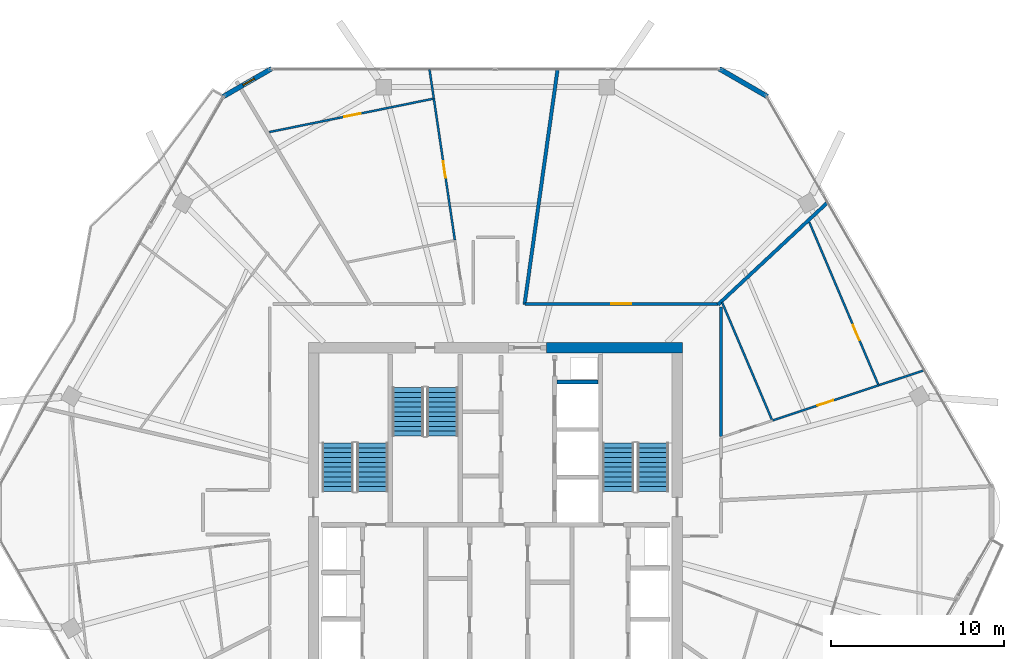
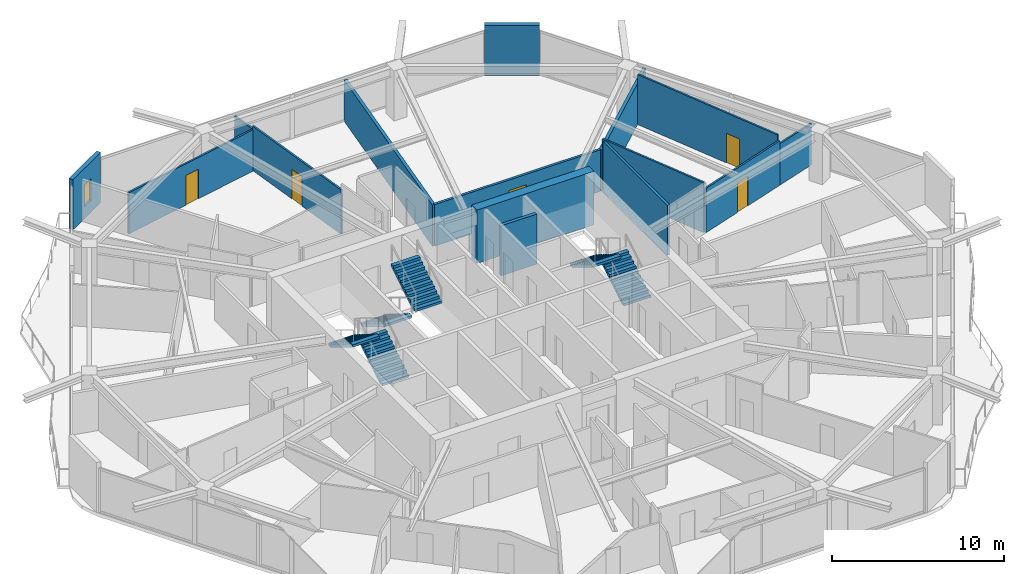
# One storey, part 22 of 25: 15 walls, 6 stair flights, 5 doors, 1 window, 6 openings, 3 elements without a shape of their own.
"""IFC4 building model written with IfcOpenShell, lengths in metres."""

from ifc_helpers import new_model, si_unit, direction, frame, frame_2d, origin, place, context, subcontext, project, spatial, polyline, rectangle, outline, extrude, material, layer, layer_set, type_object, element, fill, aggregate, save


model = new_model("IFC4")

# Units and contexts
model_context = context("Model", 3, precision=1e-05, world=origin(), true_north=direction((0.0, 1.0)))
body_context = subcontext(model_context, "Body", "Model", "MODEL_VIEW")
ifc_project = project(units=[si_unit("LENGTHUNIT", "METRE"), si_unit("AREAUNIT", "SQUARE_METRE"), si_unit("VOLUMEUNIT", "CUBIC_METRE"), si_unit("PLANEANGLEUNIT", "RADIAN"), si_unit("MASSUNIT", "GRAM", prefix="KILO")], contexts=[model_context])

# Site, building, storey
site_placement = place(None, origin())
site = spatial("IfcSite", under=ifc_project, at=site_placement, CompositionType="ELEMENT")
building_placement = place(site_placement, origin())
building = spatial("IfcBuilding", under=site, at=building_placement, Name="Zuhravey Tower", CompositionType="ELEMENT")
storey_placement = place(building_placement, frame((0.0, 0.0, 257.800048828125)))
storey = spatial("IfcBuildingStorey", under=building, at=storey_placement, Name="L65", CompositionType="ELEMENT", Elevation=257.800048828125)

# Wall
ifc_material_1 = material(Name="Concrete C50/60", Category="concrete")
ifc_layer_1 = layer(ifc_material_1, 0.60009765625)
ifc_layer_set_1 = layer_set([ifc_layer_1], Name="Concrete C50/60")
wall_type_1 = type_object("IfcWallType", Name="Core Shear Wall 600", PredefinedType="SHEAR", material=ifc_layer_set_1)
wall_1_placement = place(storey_placement, frame((46.800048828125, 41.5, 0.0), z_axis=(0.0, 0.0, 1.0), x_axis=(-1.0, 0.0, 0.0)))
element("IfcWall", 1, at=wall_1_placement, inside=storey, type_object=wall_type_1, Name="L65 North-East Core Shear Wall CW60", PredefinedType="SHEAR", context=body_context, shape_type="SweptSolid", body=[
    extrude(rectangle(XDim=7.85009765625, YDim=0.60009765625, at=frame_2d((3.925048828125, 0.0))), origin(), (0.0, 0.0, 1.0), 3.800048828125),
])

# Wall, opening, door
ifc_material_2 = material(Name="Gypsum fire-rated stud partition")
ifc_layer_2 = layer(ifc_material_2, 0.159912109375)
ifc_layer_set_2 = layer_set([ifc_layer_2], Name="Gypsum fire-rated stud partition")
wall_type_2 = type_object("IfcWallType", Name="Corridor Fire Partition 160", PredefinedType="PARTITIONING", material=ifc_layer_set_2)
wall_2_placement = place(storey_placement, frame((48.85009765625, 44.030029296875, 0.0), z_axis=(0.0, 0.0, 1.0), x_axis=(-1.0, 0.0, 0.0)))
wall_2 = element("IfcWall", 2, at=wall_2_placement, inside=storey, type_object=wall_type_2, Name="L65 IW16 Partition 056", PredefinedType="PARTITIONING", context=body_context, shape_type="SweptSolid", body=[
    extrude(rectangle(XDim=11.13916015625, YDim=0.159912109375, at=frame_2d((5.569580078125, 0.0))), origin(), (0.0, 0.0, 1.0), 2.949951171875),
])
opening_1_placement = place(wall_2_placement, frame((4.994384765625, 0.0, 0.0)))
opening_1 = element("IfcOpeningElement", 3, at=opening_1_placement, cuts=wall_2, Name="Opening CLD1", PredefinedType="OPENING", context=body_context, shape_type="SweptSolid", body=[
    extrude(rectangle(XDim=1.14990234375, YDim=2.199951171875, at=frame_2d((0.574951171875, 1.10009765625))), frame((0.0, 0.092041015625, 0.0), z_axis=(0.0, -1.0, 0.0), x_axis=(1.0, 0.0, 0.0)), (0.0, 0.0, 1.0), 0.183837890625),
])
ifc_material_3 = material(Name="Acoustic timber leaf with vision lite", Category="wood")
door_type_1 = type_object("IfcDoorType", Name="Classroom Acoustic Door 1150x2200", OperationType="NOTDEFINED", PredefinedType="DOOR", material=ifc_material_3)
door_1_placement = place(opening_1_placement, frame((1.14990234375, 0.0, 0.0), z_axis=(0.0, 0.0, 1.0), x_axis=(-1.0, 0.0, 0.0)))
door_1 = element("IfcDoor", 4, at=door_1_placement, inside=storey, type_object=door_type_1, Name="L65 Door 056.1", OperationType="SINGLE_SWING_RIGHT", OverallHeight=2.199951171875, OverallWidth=1.14990234375, PredefinedType="DOOR", context=body_context, shape_type="SweptSolid", body=[
    extrude(rectangle(XDim=1.14990234375, YDim=2.199951171875, at=frame_2d((0.574951171875, 1.10009765625))), frame((0.0, 0.02490234375, 0.0), z_axis=(0.0, -1.0, 0.0), x_axis=(1.0, 0.0, 0.0)), (0.0, 0.0, 1.0), 0.050048828125),
])
fill(opening_1, door_1)

# Wall
wall_3_placement = place(storey_placement, frame((49.030029296875, 36.385986328125, 0.0), z_axis=(0.0, 0.0, 1.0), x_axis=(0.0, 1.0, 0.0)))
element("IfcWall", 5, at=wall_3_placement, inside=storey, type_object=wall_type_2, Name="L65 IW16 Partition 119", PredefinedType="PARTITIONING", context=body_context, shape_type="SweptSolid", body=[
    extrude(rectangle(XDim=7.464111328125, YDim=0.159912109375, at=frame_2d((3.73193359375, 0.0))), origin(), (0.0, 0.0, 1.0), 3.550048828125),
])

# Wall, opening, window
ifc_material_4 = material(Name="Precast concrete C40/50", Category="concrete")
ifc_layer_3 = layer(ifc_material_4, 0.280029296875)
ifc_layer_set_3 = layer_set([ifc_layer_3], Name="Precast concrete C40/50")
wall_type_3 = type_object("IfcWallType", Name="Crown Architectural Wall 280", PredefinedType="SOLIDWALL", material=ifc_layer_set_3)
wall_4_placement = place(storey_placement, frame((20.285400390625, 56.003662109375, 0.0), z_axis=(0.0, 0.0, 1.0), x_axis=(0.866028773314, 0.499994163758, 0.0)))
wall_4 = element("IfcWall", 6, at=wall_4_placement, inside=storey, type_object=wall_type_3, Name="L65 Rounded Corner Closure Wall EW28-08", PredefinedType="SOLIDWALL", context=body_context, shape_type="SweptSolid", body=[
    extrude(rectangle(XDim=3.21484375, YDim=0.280029296875, at=frame_2d((1.607421875, 0.0))), origin(), (0.0, 0.0, 1.0), 3.550048828125),
])
opening_2_placement = place(wall_4_placement, frame((1.324462890625, 0.0, 0.85009765625)))
opening_2 = element("IfcOpeningElement", 7, at=opening_2_placement, cuts=wall_4, Name="Opening WN5", PredefinedType="OPENING", context=body_context, shape_type="SweptSolid", body=[
    extrude(rectangle(XDim=0.75, YDim=1.5, at=frame_2d((0.375, 0.75))), frame((0.0, 0.152099609375, 0.0), z_axis=(0.0, -1.0, 0.0), x_axis=(1.0, 0.0, 0.0)), (0.0, 0.0, 1.0), 0.303955078125),
])
ifc_material_5 = material(Name="Thermally broken aluminium and triple low-E glass", Category="aluminium")
window_type = type_object("IfcWindowType", Name="Residential Corner Casement Window 750x1500", PartitioningType="SINGLE_PANEL", PredefinedType="WINDOW", material=ifc_material_5)
window_placement = place(opening_2_placement, origin())
window = element("IfcWindow", 8, at=window_placement, inside=storey, type_object=window_type, Name="L65 Corner Casement Window WN5-08.1", OverallHeight=1.5, OverallWidth=0.75, PartitioningType="SINGLE_PANEL", PredefinedType="WINDOW", context=body_context, shape_type="SweptSolid", body=[
    extrude(rectangle(XDim=0.75, YDim=1.5, at=frame_2d((0.375, 0.75))), frame((0.0, 0.030029296875, 0.0), z_axis=(0.0, -1.0, 0.0), x_axis=(1.0, 0.0, 0.0)), (0.0, 0.0, 1.0), 0.06005859375),
])
fill(opening_2, window)

# Walls
wall_5_placement = place(storey_placement, frame((48.930419921875, 57.611083984375, 0.0), z_axis=(0.0, 0.0, 1.0), x_axis=(0.866028773314, -0.499994163758, 0.0)))
element("IfcWall", 9, at=wall_5_placement, inside=storey, type_object=wall_type_3, Name="L65 Rounded Corner Closure Wall EW28-10", PredefinedType="SOLIDWALL", context=body_context, shape_type="SweptSolid", body=[
    extrude(rectangle(XDim=3.21484375, YDim=0.280029296875, at=frame_2d((1.607421875, 0.0))), origin(), (0.0, 0.0, 1.0), 3.550048828125),
])
ifc_material_6 = material(Name="Gypsum double-stud party assembly")
ifc_layer_4 = layer(ifc_material_6, 0.199951171875)
ifc_layer_set_4 = layer_set([ifc_layer_4], Name="Gypsum double-stud party assembly")
wall_type_4 = type_object("IfcWallType", Name="Inter-Tenancy Party Wall 200", PredefinedType="PARTITIONING", material=ifc_layer_set_4)
wall_6_placement = place(storey_placement, frame((48.857421875, 43.989501953125, 0.0), z_axis=(0.0, 0.0, 1.0), x_axis=(0.731342217011, 0.682010675589, 0.0)))
element("IfcWall", 10, at=wall_6_placement, inside=storey, type_object=wall_type_4, Name="L65 IW20 Partition 098", PredefinedType="PARTITIONING", context=body_context, shape_type="SweptSolid", body=[
    extrude(rectangle(XDim=8.65576171875, YDim=0.199951171875, at=frame_2d((4.327880859375, 0.0))), origin(), (0.0, 0.0, 1.0), 2.929931640625),
])
wall_7_placement = place(storey_placement, frame((37.68505859375, 43.989990234375, 0.0), z_axis=(0.0, 0.0, 1.0), x_axis=(0.139176780606, 0.990267551594, 0.0)))
element("IfcWall", 11, at=wall_7_placement, inside=storey, type_object=wall_type_4, Name="L65 IW20 Partition 099", PredefinedType="PARTITIONING", context=body_context, shape_type="SweptSolid", body=[
    extrude(rectangle(XDim=13.70703125, YDim=0.199951171875, at=frame_2d((6.853515625, 0.0))), origin(), (0.0, 0.0, 1.0), 2.929931640625),
])
ifc_material_7 = material(Name="Gypsum acoustic stud assembly")
ifc_layer_5 = layer(ifc_material_7, 0.219970703125)
ifc_layer_set_5 = layer_set([ifc_layer_5], Name="Gypsum acoustic stud assembly")
wall_type_5 = type_object("IfcWallType", Name="School Acoustic Compartment Wall 220", PredefinedType="PARTITIONING", material=ifc_layer_set_5)
wall_8_placement = place(storey_placement, frame((39.55810546875, 39.52490234375, 0.0), z_axis=(0.0, 0.0, 1.0), x_axis=(1.0, 0.0, 0.0)))
element("IfcWall", 12, at=wall_8_placement, inside=storey, type_object=wall_type_5, Name="L65 IW22 Partition 065", PredefinedType="PARTITIONING", context=body_context, shape_type="SweptSolid", body=[
    extrude(rectangle(XDim=2.3837890625, YDim=0.219970703125, at=frame_2d((1.19189453125, 0.0))), origin(), (0.0, 0.0, 1.0), 3.550048828125),
])

# Wall, opening, door
ifc_material_8 = material(Name="Gypsum metal-stud partition")
ifc_layer_6 = layer(ifc_material_8, 0.1201171875)
ifc_layer_set_6 = layer_set([ifc_layer_6], Name="Gypsum metal-stud partition")
wall_type_6 = type_object("IfcWallType", Name="Unit Internal Partition 120", PredefinedType="PARTITIONING", material=ifc_layer_set_6)
wall_9_placement = place(storey_placement, frame((52.015869140625, 37.302978515625, 0.0), z_axis=(0.0, 0.0, 1.0), x_axis=(0.949319431561, 0.314312928243, 0.0)))
wall_9 = element("IfcWall", 13, at=wall_9_placement, inside=storey, type_object=wall_type_6, Name="L65 IW12 Partition 053", PredefinedType="PARTITIONING", context=body_context, shape_type="SweptSolid", body=[
    extrude(rectangle(XDim=6.46630859375, YDim=0.1201171875, at=frame_2d((3.233154296875, 0.0))), origin(), (0.0, 0.0, 1.0), 3.14990234375),
])
opening_3_placement = place(wall_9_placement, frame((2.733154296875, 0.0, 0.0)))
opening_3 = element("IfcOpeningElement", 14, at=opening_3_placement, cuts=wall_9, Name="Opening IND1", PredefinedType="OPENING", context=body_context, shape_type="SweptSolid", body=[
    extrude(rectangle(XDim=0.949951171875, YDim=2.10009765625, at=frame_2d((0.47509765625, 1.050048828125))), frame((0.0, 0.072021484375, 0.0), z_axis=(0.0, -1.0, 0.0), x_axis=(1.0, 0.0, 0.0)), (0.0, 0.0, 1.0), 0.14404296875),
])
ifc_material_9 = material(Name="Painted engineered timber leaf", Category="wood")
door_type_2 = type_object("IfcDoorType", Name="Internal Room & Bedroom Door 950x2100", OperationType="NOTDEFINED", PredefinedType="DOOR", material=ifc_material_9)
door_2_placement = place(opening_3_placement, origin())
door_2 = element("IfcDoor", 15, at=door_2_placement, inside=storey, type_object=door_type_2, Name="Apartment L65-07 Home Office Door", OperationType="SINGLE_SWING_LEFT", OverallHeight=2.10009765625, OverallWidth=0.949951171875, PredefinedType="DOOR", context=body_context, shape_type="SweptSolid", body=[
    extrude(rectangle(XDim=0.949951171875, YDim=2.10009765625, at=frame_2d((0.47509765625, 1.050048828125))), frame((0.0, 0.02490234375, 0.0), z_axis=(0.0, -1.0, 0.0), x_axis=(1.0, 0.0, 0.0)), (0.0, 0.0, 1.0), 0.050048828125),
])
fill(opening_3, door_2)

wall_10_placement = place(storey_placement, frame((58.104248046875, 39.390380859375, 0.0), z_axis=(0.0, 0.0, 1.0), x_axis=(-0.390729276491, 0.920505639577, 0.0)))
wall_10 = element("IfcWall", 16, at=wall_10_placement, inside=storey, type_object=wall_type_6, Name="L65 IW12 Partition 054", PredefinedType="PARTITIONING", context=body_context, shape_type="SweptSolid", body=[
    extrude(rectangle(XDim=10.16796875, YDim=0.1201171875, at=frame_2d((5.083984375, 0.0))), origin(), (0.0, 0.0, 1.0), 3.550048828125),
])
opening_4_placement = place(wall_10_placement, frame((2.7646484375, 0.0, 0.0)))
opening_4 = element("IfcOpeningElement", 17, at=opening_4_placement, cuts=wall_10, Name="Opening IND1", PredefinedType="OPENING", context=body_context, shape_type="SweptSolid", body=[
    extrude(rectangle(XDim=0.949951171875, YDim=2.10009765625, at=frame_2d((0.47509765625, 1.050048828125))), frame((0.0, 0.072021484375, 0.0), z_axis=(0.0, -1.0, 0.0), x_axis=(1.0, 0.0, 0.0)), (0.0, 0.0, 1.0), 0.14404296875),
])
door_3_placement = place(opening_4_placement, frame((0.949951171875, 0.0, 0.0), z_axis=(0.0, 0.0, 1.0), x_axis=(-1.0, 0.0, 0.0)))
door_3 = element("IfcDoor", 18, at=door_3_placement, inside=storey, type_object=door_type_2, Name="Apartment L65-07 Bedroom 1 Door", OperationType="SINGLE_SWING_RIGHT", OverallHeight=2.10009765625, OverallWidth=0.949951171875, PredefinedType="DOOR", context=body_context, shape_type="SweptSolid", body=[
    extrude(rectangle(XDim=0.949951171875, YDim=2.10009765625, at=frame_2d((0.47509765625, 1.050048828125))), frame((0.0, 0.02490234375, 0.0), z_axis=(0.0, -1.0, 0.0), x_axis=(1.0, 0.0, 0.0)), (0.0, 0.0, 1.0), 0.050048828125),
])
fill(opening_4, door_3)

wall_11_placement = place(storey_placement, frame((33.660888671875, 47.72705078125, 0.0), z_axis=(0.0, 0.0, 1.0), x_axis=(-0.14711109058, 0.989119976054, 0.0)))
wall_11 = element("IfcWall", 19, at=wall_11_placement, inside=storey, type_object=wall_type_6, Name="L65 IW12 Partition 058", PredefinedType="PARTITIONING", context=body_context, shape_type="SweptSolid", body=[
    extrude(rectangle(XDim=8.274658203125, YDim=0.1201171875, at=frame_2d((4.13720703125, 0.0))), origin(), (0.0, 0.0, 1.0), 3.14990234375),
])
opening_5_placement = place(wall_11_placement, frame((3.63720703125, 0.0, 0.0)))
opening_5 = element("IfcOpeningElement", 20, at=opening_5_placement, cuts=wall_11, Name="Opening IND1", PredefinedType="OPENING", context=body_context, shape_type="SweptSolid", body=[
    extrude(rectangle(XDim=0.949951171875, YDim=2.10009765625, at=frame_2d((0.47509765625, 1.050048828125))), frame((0.0, 0.072021484375, 0.0), z_axis=(0.0, -1.0, 0.0), x_axis=(1.0, 0.0, 0.0)), (0.0, 0.0, 1.0), 0.14404296875),
])
door_4_placement = place(opening_5_placement, origin())
door_4 = element("IfcDoor", 21, at=door_4_placement, inside=storey, type_object=door_type_2, Name="Apartment L65-09 Home Office Door", OperationType="SINGLE_SWING_RIGHT", OverallHeight=2.10009765625, OverallWidth=0.949951171875, PredefinedType="DOOR", context=body_context, shape_type="SweptSolid", body=[
    extrude(rectangle(XDim=0.949951171875, YDim=2.10009765625, at=frame_2d((0.47509765625, 1.050048828125))), frame((0.0, 0.02490234375, 0.0), z_axis=(0.0, -1.0, 0.0), x_axis=(1.0, 0.0, 0.0)), (0.0, 0.0, 1.0), 0.050048828125),
])
fill(opening_5, door_4)

wall_12_placement = place(storey_placement, frame((32.380615234375, 55.873291015625, 0.0), z_axis=(0.0, 0.0, 1.0), x_axis=(-0.979928346311, -0.199350034099, 0.0)))
wall_12 = element("IfcWall", 22, at=wall_12_placement, inside=storey, type_object=wall_type_6, Name="L65 IW12 Partition 059", PredefinedType="PARTITIONING", context=body_context, shape_type="SweptSolid", body=[
    extrude(rectangle(XDim=9.622314453125, YDim=0.1201171875, at=frame_2d((4.81103515625, 0.0))), origin(), (0.0, 0.0, 1.0), 2.929931640625),
])
opening_6_placement = place(wall_12_placement, frame((4.251953125, 0.0, 0.0)))
opening_6 = element("IfcOpeningElement", 23, at=opening_6_placement, cuts=wall_12, Name="Opening IND1", PredefinedType="OPENING", context=body_context, shape_type="SweptSolid", body=[
    extrude(rectangle(XDim=0.949951171875, YDim=2.10009765625, at=frame_2d((0.47509765625, 1.050048828125))), frame((0.0, 0.072021484375, 0.0), z_axis=(0.0, -1.0, 0.0), x_axis=(1.0, 0.0, 0.0)), (0.0, 0.0, 1.0), 0.14404296875),
])
door_5_placement = place(opening_6_placement, frame((0.949951171875, 0.0, 0.0), z_axis=(0.0, 0.0, 1.0), x_axis=(-1.0, 0.0, 0.0)))
door_5 = element("IfcDoor", 24, at=door_5_placement, inside=storey, type_object=door_type_2, Name="Apartment L65-09 Bedroom 1 Door", OperationType="SINGLE_SWING_LEFT", OverallHeight=2.10009765625, OverallWidth=0.949951171875, PredefinedType="DOOR", context=body_context, shape_type="SweptSolid", body=[
    extrude(rectangle(XDim=0.949951171875, YDim=2.10009765625, at=frame_2d((0.47509765625, 1.050048828125))), frame((0.0, 0.02490234375, 0.0), z_axis=(0.0, -1.0, 0.0), x_axis=(1.0, 0.0, 0.0)), (0.0, 0.0, 1.0), 0.050048828125),
])
fill(opening_6, door_5)

# Walls
wall_13_placement = place(storey_placement, frame((58.154541015625, 39.335693359375, 0.0), z_axis=(0.0, 0.0, 1.0), x_axis=(0.949341960768, 0.314244875098, 0.0)))
element("IfcWall", 25, at=wall_13_placement, inside=storey, type_object=wall_type_6, Name="L65 IW12 Partition 096", PredefinedType="PARTITIONING", context=body_context, shape_type="SweptSolid", body=[
    extrude(rectangle(XDim=2.771240234375, YDim=0.1201171875, at=frame_2d((1.3857421875, 0.0))), origin(), (0.0, 0.0, 1.0), 2.929931640625),
])
wall_14_placement = place(storey_placement, frame((51.965576171875, 37.35791015625, 0.0), z_axis=(0.0, 0.0, 1.0), x_axis=(-0.39073730392, 0.920502232113, 0.0)))
element("IfcWall", 26, at=wall_14_placement, inside=storey, type_object=wall_type_6, Name="L65 IW12 Partition 097", PredefinedType="PARTITIONING", context=body_context, shape_type="SweptSolid", body=[
    extrude(rectangle(XDim=7.35791015625, YDim=0.1201171875, at=frame_2d((3.678955078125, 0.0))), origin(), (0.0, 0.0, 1.0), 3.550048828125),
])
wall_15_placement = place(storey_placement, frame((32.443359375, 55.91162109375, 0.0), z_axis=(0.0, 0.0, 1.0), x_axis=(-0.147050413957, 0.989128998541, 0.0)))
element("IfcWall", 27, at=wall_15_placement, inside=storey, type_object=wall_type_6, Name="L65 IW12 Partition 101", PredefinedType="PARTITIONING", context=body_context, shape_type="SweptSolid", body=[
    extrude(rectangle(XDim=1.67529296875, YDim=0.1201171875, at=frame_2d((0.837646484375, 0.0))), origin(), (0.0, 0.0, 1.0), 2.929931640625),
])

# Stair, stair flights
ifc_material_10 = material(Name="Concrete C40/50", Category="concrete")
stair_type = type_object("IfcStairType", Name="Housing Storey Stair Assembly 3800", PredefinedType="HALF_TURN_STAIR", material=ifc_material_10)
stair_1_placement = place(storey_placement, origin())
stair_1 = element("IfcStair", 28, at=stair_1_placement, inside=storey, type_object=stair_type, Name="L65 Core Exit Stair ST1", PredefinedType="HALF_TURN_STAIR")
stair_flight_type = type_object("IfcStairFlightType", Name="Housing Storey Stair Flight 3800", PredefinedType="STRAIGHT", material=ifc_material_10)
stair_flight_1_placement = place(storey_placement, frame((28.89990234375, 33.199951171875, 0.0), z_axis=(0.0, 0.0, 1.0), x_axis=(0.0, 1.0, 0.0)))
stair_flight_1 = element("IfcStairFlight", 29, at=stair_flight_1_placement, type_object=stair_flight_type, Name="ST1 flight 1", NumberOfRisers=11, NumberOfTreads=10, PredefinedType="STRAIGHT", RiserHeight=0.172727273, TreadLength=0.28, context=body_context, shape_type="SweptSolid", body=[
    extrude(outline(polyline([(0.0, 0.0), (0.0, 0.172607421875), (0.280029296875, 0.172607421875), (0.280029296875, 0.345458984375), (0.56005859375, 0.345458984375), (0.56005859375, 0.51806640625), (0.840087890625, 0.51806640625), (0.840087890625, 0.69091796875), (1.1201171875, 0.69091796875), (1.1201171875, 0.863525390625), (1.39990234375, 0.863525390625), (1.39990234375, 1.036376953125), (1.679931640625, 1.036376953125), (1.679931640625, 1.208984375), (1.9599609375, 1.208984375), (1.9599609375, 1.3818359375), (2.239990234375, 1.3818359375), (2.239990234375, 1.554443359375), (2.52001953125, 1.554443359375), (2.52001953125, 1.727294921875), (2.800048828125, 1.727294921875), (2.800048828125, 1.89990234375), (2.800048828125, 1.551025390625), (0.285400390625, 0.0), (0.0, 0.0)])), frame((0.0, 0.89990234375, 0.0), z_axis=(0.0, -1.0, 0.0), x_axis=(1.0, 0.0, 0.0)), (0.0, 0.0, 1.0), 1.800048828125),
])
stair_flight_2_placement = place(storey_placement, frame((26.89990234375, 36.0, 1.89990234375), z_axis=(0.0, 0.0, 1.0), x_axis=(0.0, -1.0, 0.0)))
stair_flight_2 = element("IfcStairFlight", 30, at=stair_flight_2_placement, type_object=stair_flight_type, Name="ST1 flight 2", NumberOfRisers=11, NumberOfTreads=10, PredefinedType="STRAIGHT", RiserHeight=0.172727273, TreadLength=0.28, context=body_context, shape_type="SweptSolid", body=[
    extrude(outline(polyline([(0.0, 0.0), (0.0, 0.172607421875), (0.280029296875, 0.172607421875), (0.280029296875, 0.345458984375), (0.56005859375, 0.345458984375), (0.56005859375, 0.51806640625), (0.840087890625, 0.51806640625), (0.840087890625, 0.69091796875), (1.1201171875, 0.69091796875), (1.1201171875, 0.863525390625), (1.39990234375, 0.863525390625), (1.39990234375, 1.036376953125), (1.679931640625, 1.036376953125), (1.679931640625, 1.208984375), (1.9599609375, 1.208984375), (1.9599609375, 1.3818359375), (2.239990234375, 1.3818359375), (2.239990234375, 1.554443359375), (2.52001953125, 1.554443359375), (2.52001953125, 1.727294921875), (2.800048828125, 1.727294921875), (2.800048828125, 1.89990234375), (2.800048828125, 1.551025390625), (0.285400390625, 0.0), (0.0, 0.0)])), frame((0.0, 0.89990234375, 0.0), z_axis=(0.0, -1.0, 0.0), x_axis=(1.0, 0.0, 0.0)), (0.0, 0.0, 1.0), 1.800048828125),
])
aggregate(stair_1, [stair_flight_1, stair_flight_2])

stair_2_placement = place(storey_placement, origin())
stair_2 = element("IfcStair", 31, at=stair_2_placement, inside=storey, type_object=stair_type, Name="L65 Core Exit Stair ST2", PredefinedType="HALF_TURN_STAIR")
stair_flight_3_placement = place(storey_placement, frame((45.10009765625, 33.199951171875, 0.0), z_axis=(0.0, 0.0, 1.0), x_axis=(0.0, 1.0, 0.0)))
stair_flight_3 = element("IfcStairFlight", 32, at=stair_flight_3_placement, type_object=stair_flight_type, Name="ST2 flight 1", NumberOfRisers=11, NumberOfTreads=10, PredefinedType="STRAIGHT", RiserHeight=0.172727273, TreadLength=0.28, context=body_context, shape_type="SweptSolid", body=[
    extrude(outline(polyline([(0.0, 0.0), (0.0, 0.172607421875), (0.280029296875, 0.172607421875), (0.280029296875, 0.345458984375), (0.56005859375, 0.345458984375), (0.56005859375, 0.51806640625), (0.840087890625, 0.51806640625), (0.840087890625, 0.69091796875), (1.1201171875, 0.69091796875), (1.1201171875, 0.863525390625), (1.39990234375, 0.863525390625), (1.39990234375, 1.036376953125), (1.679931640625, 1.036376953125), (1.679931640625, 1.208984375), (1.9599609375, 1.208984375), (1.9599609375, 1.3818359375), (2.239990234375, 1.3818359375), (2.239990234375, 1.554443359375), (2.52001953125, 1.554443359375), (2.52001953125, 1.727294921875), (2.800048828125, 1.727294921875), (2.800048828125, 1.89990234375), (2.800048828125, 1.551025390625), (0.285400390625, 0.0), (0.0, 0.0)])), frame((0.0, 0.89990234375, 0.0), z_axis=(0.0, -1.0, 0.0), x_axis=(1.0, 0.0, 0.0)), (0.0, 0.0, 1.0), 1.800048828125),
])
stair_flight_4_placement = place(storey_placement, frame((43.10009765625, 36.0, 1.89990234375), z_axis=(0.0, 0.0, 1.0), x_axis=(0.0, -1.0, 0.0)))
stair_flight_4 = element("IfcStairFlight", 33, at=stair_flight_4_placement, type_object=stair_flight_type, Name="ST2 flight 2", NumberOfRisers=11, NumberOfTreads=10, PredefinedType="STRAIGHT", RiserHeight=0.172727273, TreadLength=0.28, context=body_context, shape_type="SweptSolid", body=[
    extrude(outline(polyline([(0.0, 0.0), (0.0, 0.172607421875), (0.280029296875, 0.172607421875), (0.280029296875, 0.345458984375), (0.56005859375, 0.345458984375), (0.56005859375, 0.51806640625), (0.840087890625, 0.51806640625), (0.840087890625, 0.69091796875), (1.1201171875, 0.69091796875), (1.1201171875, 0.863525390625), (1.39990234375, 0.863525390625), (1.39990234375, 1.036376953125), (1.679931640625, 1.036376953125), (1.679931640625, 1.208984375), (1.9599609375, 1.208984375), (1.9599609375, 1.3818359375), (2.239990234375, 1.3818359375), (2.239990234375, 1.554443359375), (2.52001953125, 1.554443359375), (2.52001953125, 1.727294921875), (2.800048828125, 1.727294921875), (2.800048828125, 1.89990234375), (2.800048828125, 1.551025390625), (0.285400390625, 0.0), (0.0, 0.0)])), frame((0.0, 0.89990234375, 0.0), z_axis=(0.0, -1.0, 0.0), x_axis=(1.0, 0.0, 0.0)), (0.0, 0.0, 1.0), 1.800048828125),
])
aggregate(stair_2, [stair_flight_3, stair_flight_4])

stair_3_placement = place(storey_placement, origin())
stair_3 = element("IfcStair", 34, at=stair_3_placement, inside=storey, type_object=stair_type, Name="L65 Core Exit Stair ST3", PredefinedType="HALF_TURN_STAIR")
stair_flight_5_placement = place(storey_placement, frame((30.949951171875, 39.199951171875, 0.0), z_axis=(0.0, 0.0, 1.0), x_axis=(0.0, -1.0, 0.0)))
stair_flight_5 = element("IfcStairFlight", 35, at=stair_flight_5_placement, type_object=stair_flight_type, Name="ST3 flight 1", NumberOfRisers=11, NumberOfTreads=10, PredefinedType="STRAIGHT", RiserHeight=0.172727273, TreadLength=0.28, context=body_context, shape_type="SweptSolid", body=[
    extrude(outline(polyline([(0.0, 0.0), (0.0, 0.172607421875), (0.280029296875, 0.172607421875), (0.280029296875, 0.345458984375), (0.56005859375, 0.345458984375), (0.56005859375, 0.51806640625), (0.840087890625, 0.51806640625), (0.840087890625, 0.69091796875), (1.1201171875, 0.69091796875), (1.1201171875, 0.863525390625), (1.39990234375, 0.863525390625), (1.39990234375, 1.036376953125), (1.679931640625, 1.036376953125), (1.679931640625, 1.208984375), (1.9599609375, 1.208984375), (1.9599609375, 1.3818359375), (2.239990234375, 1.3818359375), (2.239990234375, 1.554443359375), (2.52001953125, 1.554443359375), (2.52001953125, 1.727294921875), (2.800048828125, 1.727294921875), (2.800048828125, 1.89990234375), (2.800048828125, 1.551025390625), (0.285400390625, 0.0), (0.0, 0.0)])), frame((0.0, 0.89990234375, 0.0), z_axis=(0.0, -1.0, 0.0), x_axis=(1.0, 0.0, 0.0)), (0.0, 0.0, 1.0), 1.800048828125),
])
stair_flight_6_placement = place(storey_placement, frame((32.949951171875, 36.39990234375, 1.89990234375), z_axis=(0.0, 0.0, 1.0), x_axis=(0.0, 1.0, 0.0)))
stair_flight_6 = element("IfcStairFlight", 36, at=stair_flight_6_placement, type_object=stair_flight_type, Name="ST3 flight 2", NumberOfRisers=11, NumberOfTreads=10, PredefinedType="STRAIGHT", RiserHeight=0.172727273, TreadLength=0.28, context=body_context, shape_type="SweptSolid", body=[
    extrude(outline(polyline([(0.0, 0.0), (0.0, 0.172607421875), (0.280029296875, 0.172607421875), (0.280029296875, 0.345458984375), (0.56005859375, 0.345458984375), (0.56005859375, 0.51806640625), (0.840087890625, 0.51806640625), (0.840087890625, 0.69091796875), (1.1201171875, 0.69091796875), (1.1201171875, 0.863525390625), (1.39990234375, 0.863525390625), (1.39990234375, 1.036376953125), (1.679931640625, 1.036376953125), (1.679931640625, 1.208984375), (1.9599609375, 1.208984375), (1.9599609375, 1.3818359375), (2.239990234375, 1.3818359375), (2.239990234375, 1.554443359375), (2.52001953125, 1.554443359375), (2.52001953125, 1.727294921875), (2.800048828125, 1.727294921875), (2.800048828125, 1.89990234375), (2.800048828125, 1.551025390625), (0.285400390625, 0.0), (0.0, 0.0)])), frame((0.0, 0.89990234375, 0.0), z_axis=(0.0, -1.0, 0.0), x_axis=(1.0, 0.0, 0.0)), (0.0, 0.0, 1.0), 1.800048828125),
])
aggregate(stair_3, [stair_flight_5, stair_flight_6])

save(model, "model.ifc")
